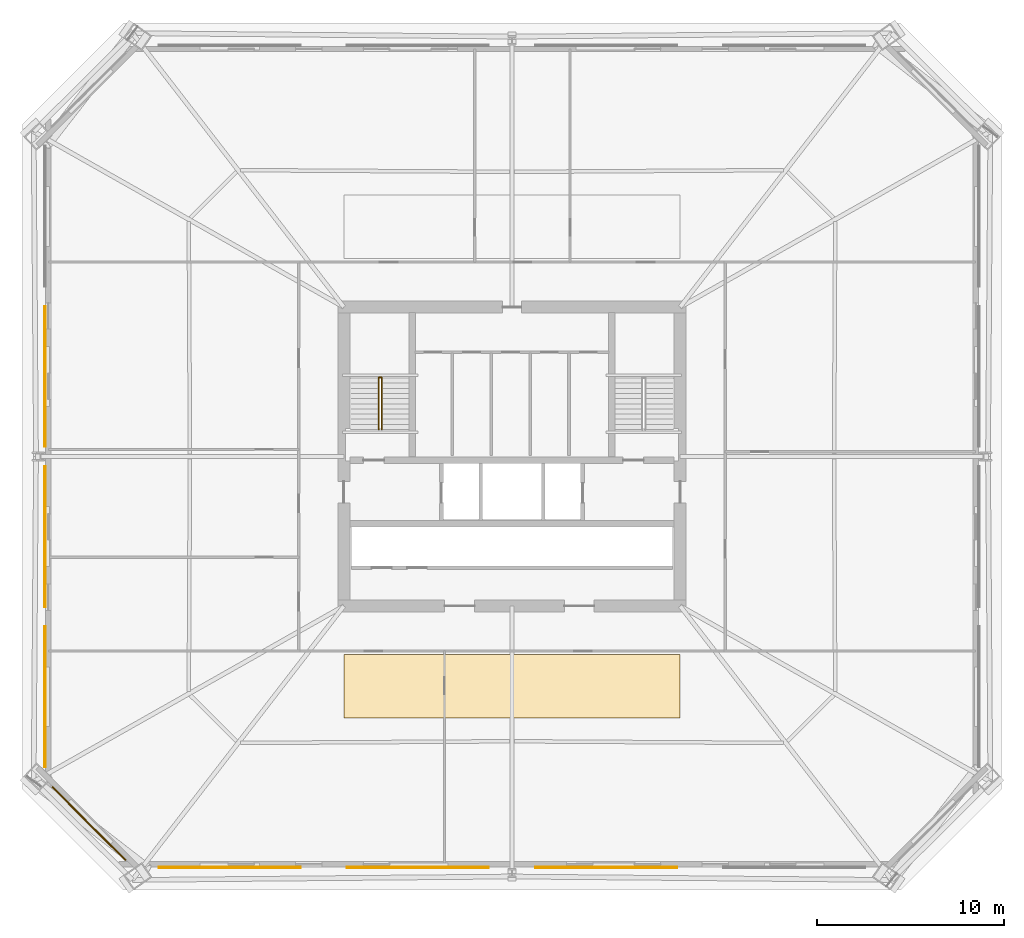
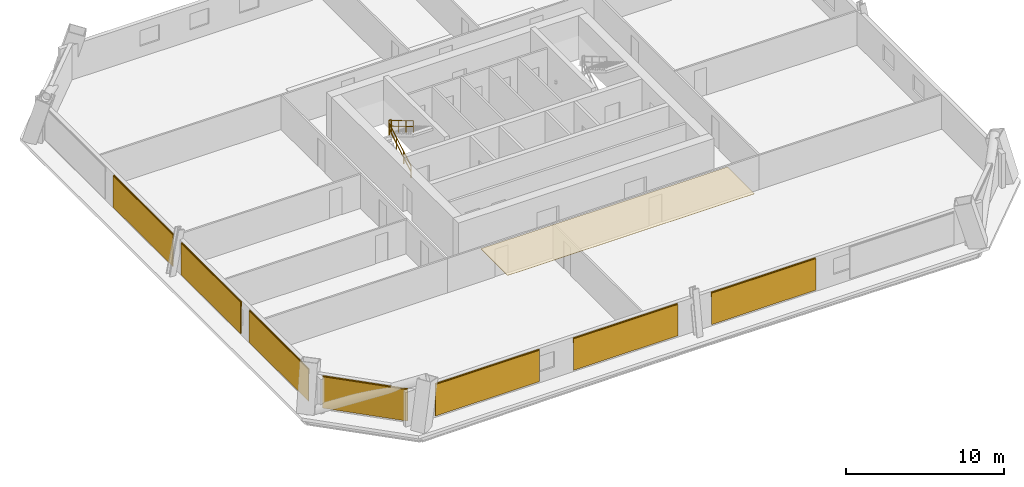
# One storey, part 8 of 10: 8 coverings, 7 shading devices, 3 railings.
"""IFC4 building model written with IfcOpenShell, lengths in metres."""

from ifc_helpers import new_model, si_unit, direction, frame, origin, origin_2d, place, context, subcontext, project, spatial, polyline, rectangle, circle, outline, extrude, material, layer, layer_set, type_object, element, save


model = new_model("IFC4")

# Units and contexts
model_context = context("Model", 3, precision=1e-05, world=origin(), true_north=direction((0.0, 1.0)))
body_context = subcontext(model_context, "Body", "Model", "MODEL_VIEW")
ifc_project = project(units=[si_unit("LENGTHUNIT", "METRE"), si_unit("AREAUNIT", "SQUARE_METRE"), si_unit("VOLUMEUNIT", "CUBIC_METRE"), si_unit("PLANEANGLEUNIT", "RADIAN"), si_unit("MASSUNIT", "GRAM", prefix="KILO")], contexts=[model_context])

# Site, building, storey
site_placement = place(None, origin())
site = spatial("IfcSite", under=ifc_project, at=site_placement, CompositionType="ELEMENT")
building_placement = place(site_placement, origin())
building = spatial("IfcBuilding", under=site, at=building_placement, Name="Caelvoria Tower", CompositionType="ELEMENT")
storey_placement = place(building_placement, frame((0.0, 0.0, 78.39990234375)))
storey = spatial("IfcBuildingStorey", under=building, at=storey_placement, Name="L20", CompositionType="ELEMENT", Elevation=78.39990234375)

# Coverings
ifc_material_1 = material(Name="Acoustic Mineral Fibre Tile", Category="gypsum")
ifc_layer_1 = layer(ifc_material_1, 0.02490234375, Name="Acoustic Mineral Fibre Tile")
ifc_layer_set_1 = layer_set([ifc_layer_1], Name="Mineral-Fibre Acoustic Suspended Ceiling 25 - Acoustic Mineral Fibre Tile")
covering_type_1 = type_object("IfcCoveringType", Name="Mineral-Fibre Acoustic Suspended Ceiling 25", PredefinedType="CEILING", material=ifc_layer_set_1)
covering_1_placement = place(storey_placement, frame((0.0, 0.0, 2.635009765625)))
element("IfcCovering", 1, at=covering_1_placement, inside=storey, type_object=covering_type_1, Name="Suspended Acoustic Ceiling L20", PredefinedType="CEILING", context=body_context, shape_type="SweptSolid", body=[
    extrude(outline(polyline([(37.0, 18.0), (55.0, 18.0), (55.0, 21.39990234375), (37.0, 21.39990234375), (37.0, 18.0)])), origin(), (0.0, 0.0, 1.0), 0.025146484375),
])
ifc_material_2 = material(Name="Perforated Architectural Bronze Cladding Screen", Category="bronze")
ifc_layer_2 = layer(ifc_material_2, 0.0400390625, Name="Perforated Architectural Bronze Cladding Screen")
ifc_layer_set_2 = layer_set([ifc_layer_2], Name="Perforated Bronze Louvre Cladding Band 40 - Perforated Architectural Bronze Cladding Screen")
covering_type_2 = type_object("IfcCoveringType", Name="Perforated Bronze Louvre Cladding Band 40", PredefinedType="CLADDING", material=ifc_layer_set_2)
for number, where, z_axis, x_axis, name in (
    (2, (30.89501953125, 10.028076171875, 2.2421875), (0.0, 0.0, 1.0), (1.0, 0.0, 0.0), "Perforated Bronze Screen Band L20-E0-00"),
    (3, (40.965087890625, 10.028076171875, 2.2421875), (0.0, 0.0, 1.0), (1.0, 0.0, 0.0), "Perforated Bronze Screen Band L20-E0-01"),
    (4, (51.034912109375, 10.028076171875, 2.2421875), (0.0, 0.0, 1.0), (1.0, 0.0, 0.0), "Perforated Bronze Screen Band L20-E0-02"),
):
    element("IfcCovering", number, at=place(storey_placement, frame(where, z_axis=z_axis, x_axis=x_axis)), inside=storey, type_object=covering_type_2, Name=name, PredefinedType="CLADDING", context=body_context, shape_type="SweptSolid", body=[
        extrude(rectangle(XDim=7.60009765625, YDim=0.0400390625, at=origin_2d()), origin(), (0.0, 0.0, 1.0), 0.39990234375),
    ])
for number, where, z_axis, x_axis, name in (
    (5, (21.028076171875, 36.284912109375, 2.2421875), (0.0, 0.0, 1.0), (0.0, -1.0, 0.0), "Perforated Bronze Screen Band L20-E6-01"),
    (6, (21.028076171875, 27.715087890625, 2.2421875), (0.0, 0.0, 1.0), (0.0, -1.0, 0.0), "Perforated Bronze Screen Band L20-E6-02"),
    (7, (21.028076171875, 19.14501953125, 2.2421875), (0.0, 0.0, 1.0), (0.0, -1.0, 0.0), "Perforated Bronze Screen Band L20-E6-03"),
):
    element("IfcCovering", number, at=place(storey_placement, frame(where, z_axis=z_axis, x_axis=x_axis)), inside=storey, type_object=covering_type_2, Name=name, PredefinedType="CLADDING", context=body_context, shape_type="SweptSolid", body=[
        extrude(rectangle(XDim=7.54150390625, YDim=0.0400390625, at=origin_2d()), origin(), (0.0, 0.0, 1.0), 0.39990234375),
    ])
covering_2_placement = place(storey_placement, frame((23.368408203125, 12.368408203125, 2.2421875), z_axis=(0.0, 0.0, 1.0), x_axis=(0.707106781187, -0.707106781187, 0.0)))
element("IfcCovering", 8, at=covering_2_placement, inside=storey, type_object=covering_type_2, Name="Perforated Bronze Screen Band L20-E7-00", PredefinedType="CLADDING", context=body_context, shape_type="SweptSolid", body=[
    extrude(rectangle(XDim=5.55859375, YDim=0.0400390625, at=origin_2d()), origin(), (0.0, 0.0, 1.0), 0.39990234375),
])

# Shading devices
ifc_material_3 = material(Name="Perforated Architectural Bronze Alloy Panel", Category="bronze")
ifc_layer_3 = layer(ifc_material_3, 0.044921875, Name="Perforated Architectural Bronze Alloy Panel")
ifc_layer_set_3 = layer_set([ifc_layer_3], Name="Perforated Bronze Solar Screen Panel SCREEN - Perforated Architectural Bronze Alloy Panel")
shading_device_type = type_object("IfcShadingDeviceType", Name="Perforated Bronze Solar Screen Panel SCREEN", PredefinedType="USERDEFINED", material=ifc_layer_set_3)
for number, where, z_axis, x_axis, name in (
    (9, (30.89501953125, 9.985107421875, 0.16015625), (0.0, 0.0, 1.0), (1.0, 0.0, 0.0), "Perforated Bronze Solar Screen L20-E0-00"),
    (10, (40.965087890625, 9.985107421875, 0.16015625), (0.0, 0.0, 1.0), (1.0, 0.0, 0.0), "Perforated Bronze Solar Screen L20-E0-01"),
    (11, (51.034912109375, 9.985107421875, 0.16015625), (0.0, 0.0, 1.0), (1.0, 0.0, 0.0), "Perforated Bronze Solar Screen L20-E0-02"),
):
    element("IfcShadingDevice", number, at=place(storey_placement, frame(where, z_axis=z_axis, x_axis=x_axis)), inside=storey, type_object=shading_device_type, Name=name, ObjectType="SCREEN", PredefinedType="USERDEFINED", context=body_context, shape_type="SweptSolid", body=[
        extrude(rectangle(XDim=7.60009765625, YDim=0.044921875, at=origin_2d()), origin(), (0.0, 0.0, 1.0), 2.422119140625),
    ])
for number, where, z_axis, x_axis, name in (
    (12, (20.985107421875, 36.284912109375, 0.16015625), (0.0, 0.0, 1.0), (0.0, -1.0, 0.0), "Perforated Bronze Solar Screen L20-E6-01"),
    (13, (20.985107421875, 27.715087890625, 0.16015625), (0.0, 0.0, 1.0), (0.0, -1.0, 0.0), "Perforated Bronze Solar Screen L20-E6-02"),
    (14, (20.985107421875, 19.14501953125, 0.16015625), (0.0, 0.0, 1.0), (0.0, -1.0, 0.0), "Perforated Bronze Solar Screen L20-E6-03"),
):
    element("IfcShadingDevice", number, at=place(storey_placement, frame(where, z_axis=z_axis, x_axis=x_axis)), inside=storey, type_object=shading_device_type, Name=name, ObjectType="SCREEN", PredefinedType="USERDEFINED", context=body_context, shape_type="SweptSolid", body=[
        extrude(rectangle(XDim=7.54150390625, YDim=0.044921875, at=origin_2d()), origin(), (0.0, 0.0, 1.0), 2.422119140625),
    ])
shading_device_placement = place(storey_placement, frame((23.337890625, 12.337890625, 0.16015625), z_axis=(0.0, 0.0, 1.0), x_axis=(0.707106781187, -0.707106781187, 0.0)))
element("IfcShadingDevice", 15, at=shading_device_placement, inside=storey, type_object=shading_device_type, Name="Perforated Bronze Solar Screen L20-E7-00", ObjectType="SCREEN", PredefinedType="USERDEFINED", context=body_context, shape_type="SweptSolid", body=[
    extrude(rectangle(XDim=5.55859375, YDim=0.044921875, at=origin_2d()), origin(), (0.0, 0.0, 1.0), 2.422119140625),
])

# Railings
ifc_material_4 = material(Name="Brushed Stainless Steel Tube", Category="steel")
railing_type_1 = type_object("IfcRailingType", Name="Stair Tubular Stainless Handrail 920", PredefinedType="HANDRAIL", material=ifc_material_4)
railing_1_placement = place(storey_placement, frame((38.8701171875, 33.449951171875, 0.163818359375)))
element("IfcRailing", 16, at=railing_1_placement, inside=storey, type_object=railing_type_1, Name="ST-01 Flight 1 Handrail L20", PredefinedType="HANDRAIL", context=body_context, shape_type="SweptSolid", body=[
    extrude(circle(Radius=0.02392578125, at=origin_2d()), frame((0.0, 0.0, 0.89599609375), z_axis=(0.0, 0.859385484447, 0.511328259656), x_axis=(-1.0, 0.0, 0.0)), (0.0, 0.0, 1.0), 3.199951171875),
    extrude(circle(Radius=0.02392578125, at=origin_2d()), frame((0.0, 0.0, 0.4599609375), z_axis=(0.0, 0.859385484447, 0.511328259656), x_axis=(-1.0, 0.0, 0.0)), (0.0, 0.0, 1.0), 3.199951171875),
    extrude(circle(Radius=0.02099609375, at=origin_2d()), origin(), (0.0, 0.0, 1.0), 0.871826171875),
    extrude(circle(Radius=0.02099609375, at=origin_2d()), frame((0.0, 0.916748046875, 0.54541015625)), (0.0, 0.0, 1.0), 0.871826171875),
    extrude(circle(Radius=0.02099609375, at=origin_2d()), frame((0.0, 1.833251953125, 1.0908203125)), (0.0, 0.0, 1.0), 0.871826171875),
    extrude(circle(Radius=0.02099609375, at=origin_2d()), frame((0.0, 2.75, 1.63623046875)), (0.0, 0.0, 1.0), 0.871826171875),
])
railing_2_placement = place(storey_placement, frame((39.030029296875, 36.199951171875, 1.963623046875)))
element("IfcRailing", 17, at=railing_2_placement, inside=storey, type_object=railing_type_1, Name="ST-01 Flight 2 Handrail L20", PredefinedType="HANDRAIL", context=body_context, shape_type="SweptSolid", body=[
    extrude(circle(Radius=0.02392578125, at=origin_2d()), frame((0.0, 0.0, 0.89599609375), z_axis=(0.0, -0.859351957796, 0.511384603436), x_axis=(1.0, 0.0, 0.0)), (0.0, 0.0, 1.0), 3.2001953125),
    extrude(circle(Radius=0.02392578125, at=origin_2d()), frame((0.0, 0.0, 0.4599609375), z_axis=(0.0, -0.859351957796, 0.511384603436), x_axis=(1.0, 0.0, 0.0)), (0.0, 0.0, 1.0), 3.2001953125),
    extrude(circle(Radius=0.02099609375, at=origin_2d()), origin(), (0.0, 0.0, 1.0), 0.871826171875),
    extrude(circle(Radius=0.02099609375, at=origin_2d()), frame((0.0, -0.916748046875, 0.54541015625)), (0.0, 0.0, 1.0), 0.871826171875),
    extrude(circle(Radius=0.02099609375, at=origin_2d()), frame((0.0, -1.833251953125, 1.091064453125)), (0.0, 0.0, 1.0), 0.871826171875),
    extrude(circle(Radius=0.02099609375, at=origin_2d()), frame((0.0, -2.75, 1.636474609375)), (0.0, 0.0, 1.0), 0.871826171875),
])
ifc_material_5 = material(Name="Brushed Stainless Steel Guardrail", Category="steel")
railing_type_2 = type_object("IfcRailingType", Name="Stair Well and Ramp Guardrail 1120", PredefinedType="GUARDRAIL", material=ifc_material_5)
railing_3_placement = place(storey_placement, frame((38.8701171875, 36.239990234375, 1.800048828125)))
element("IfcRailing", 18, at=railing_3_placement, inside=storey, type_object=railing_type_2, Name="ST-01 Half-Landing Well Guard L20", PredefinedType="GUARDRAIL", context=body_context, shape_type="SweptSolid", body=[
    extrude(circle(Radius=0.02392578125, at=origin_2d()), frame((0.0, 0.0, 1.09619140625), z_axis=(1.0, 0.0, 0.0), x_axis=(0.0, 1.0, 0.0)), (0.0, 0.0, 1.0), 0.159912109375),
    extrude(circle(Radius=0.02392578125, at=origin_2d()), frame((0.0, 0.0, 0.56005859375), z_axis=(1.0, 0.0, 0.0), x_axis=(0.0, 1.0, 0.0)), (0.0, 0.0, 1.0), 0.159912109375),
    extrude(circle(Radius=0.02099609375, at=origin_2d()), origin(), (0.0, 0.0, 1.0), 1.072021484375),
    extrude(circle(Radius=0.02099609375, at=origin_2d()), frame((0.159912109375, 0.0, 0.0)), (0.0, 0.0, 1.0), 1.072021484375),
])

save(model, "model.ifc")
